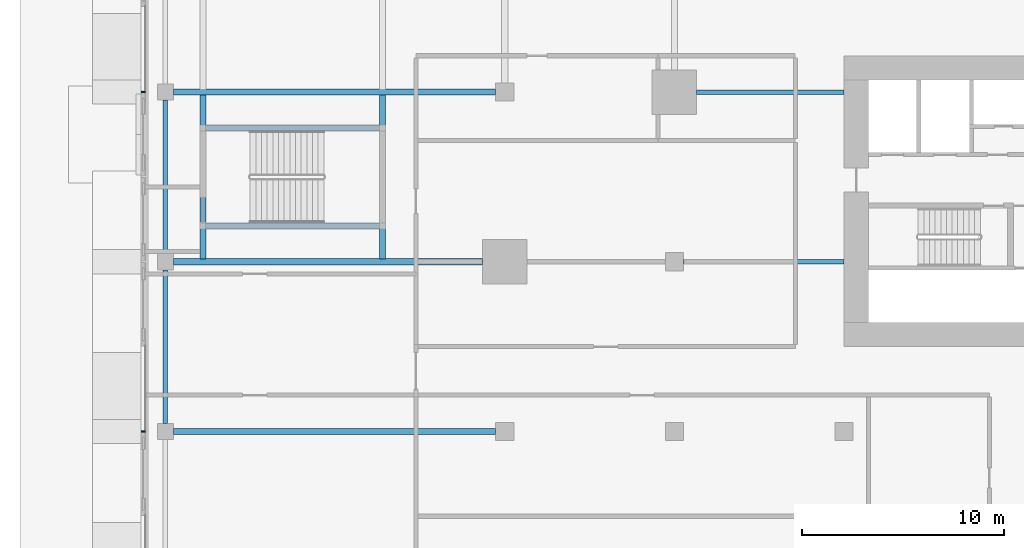
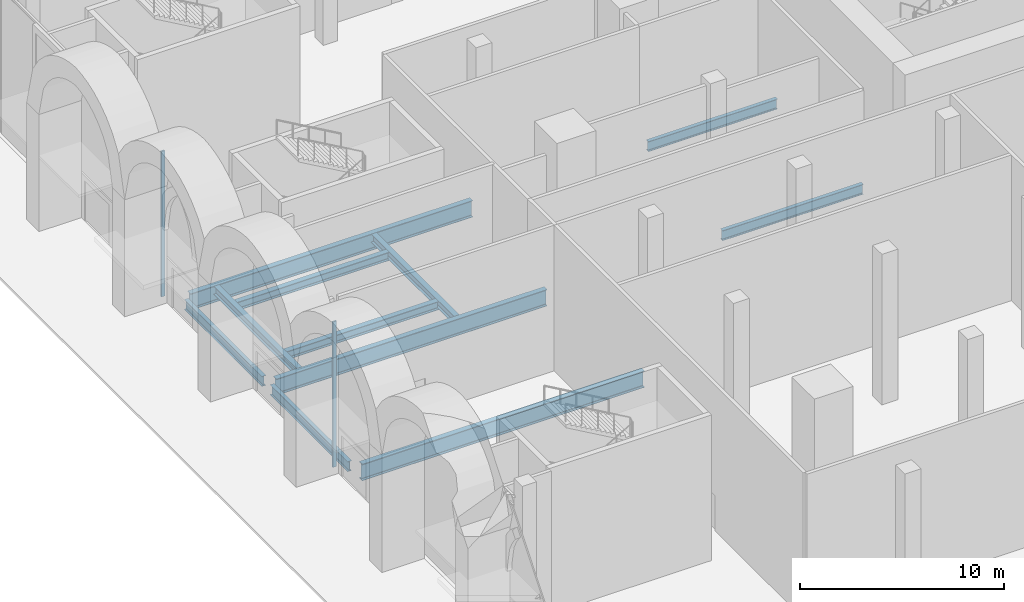
# One storey, part 7 of 43: 11 beams, 2 members, 1 element without a shape of its own.
"""IFC4 building model written with IfcOpenShell, lengths in metres."""

from ifc_helpers import new_model, si_unit, direction, frame, origin, origin_2d, place, context, subcontext, project, spatial, rectangle, i_section, extrude, material, material_profile, profile_set, type_object, element, aggregate, save


model = new_model("IFC4")

# Units and contexts
model_context = context("Model", 3, precision=1e-05, world=origin(), true_north=direction((0.0, 1.0)))
body_context = subcontext(model_context, "Body", "Model", "MODEL_VIEW")
ifc_project = project(units=[si_unit("LENGTHUNIT", "METRE"), si_unit("AREAUNIT", "SQUARE_METRE"), si_unit("VOLUMEUNIT", "CUBIC_METRE"), si_unit("PLANEANGLEUNIT", "RADIAN"), si_unit("MASSUNIT", "GRAM", prefix="KILO")], contexts=[model_context])

# Site, building, storey
site_placement = place(None, origin())
site = spatial("IfcSite", under=ifc_project, at=site_placement, CompositionType="ELEMENT")
building_placement = place(site_placement, origin())
building = spatial("IfcBuilding", under=site, at=building_placement, Name="Saffron Gate Tower", CompositionType="ELEMENT")
storey_placement = place(building_placement, origin())
storey = spatial("IfcBuildingStorey", under=building, at=storey_placement, Name="L00", CompositionType="ELEMENT", Elevation=0.0)

# Beams
ifc_material_1 = material(Name="Structural steel S355", Category="steel")
ifc_material_profile_1 = material_profile(ifc_material_1, i_section(OverallWidth=0.219970703125, OverallDepth=0.60009765625, WebThickness=0.011962890625, FlangeThickness=0.01904296875, FilletRadius=0.02392578125, at=origin_2d()))
ifc_profile_set_1 = profile_set([ifc_material_profile_1], Name="Structural steel S355")
beam_type_1 = type_object("IfcBeamType", Name="B15 IPE 600", PredefinedType="BEAM", material=ifc_profile_set_1)
beam_1_placement = place(storey_placement, frame((58.64990234375, 65.39990234375, -0.60009765625), z_axis=(1.0, 0.0, 0.0), x_axis=(0.0, 1.0, 0.0)))
element("IfcBeam", 1, at=beam_1_placement, inside=storey, type_object=beam_type_1, Name="B15 CORE TIE BEAM", PredefinedType="BEAM", context=body_context, shape_type="SweptSolid", body=[
    extrude(i_section(OverallWidth=0.219970703125, OverallDepth=0.60009765625, WebThickness=0.011962890625, FlangeThickness=0.01904296875, FilletRadius=0.02392578125, at=origin_2d()), origin(), (0.0, 0.0, 1.0), 7.9501953125),
])
beam_2_placement = place(storey_placement, frame((59.300048828125, 73.800048828125, -0.60009765625), z_axis=(1.0, 0.0, 0.0), x_axis=(0.0, 1.0, 0.0)))
element("IfcBeam", 2, at=beam_2_placement, inside=storey, type_object=beam_type_1, Name="B15 CORE TIE BEAM", PredefinedType="BEAM", context=body_context, shape_type="SweptSolid", body=[
    extrude(i_section(OverallWidth=0.219970703125, OverallDepth=0.60009765625, WebThickness=0.011962890625, FlangeThickness=0.01904296875, FilletRadius=0.02392578125, at=origin_2d()), origin(), (0.0, 0.0, 1.0), 7.300048828125),
])
beam_3_placement = place(storey_placement, frame((33.0, 57.39990234375, -0.60009765625), z_axis=(0.0, 1.0, 0.0), x_axis=(-1.0, 0.0, 0.0)))
element("IfcBeam", 3, at=beam_3_placement, inside=storey, type_object=beam_type_1, Name="B15 PODIUM EDGE BEAM", PredefinedType="BEAM", context=body_context, shape_type="SweptSolid", body=[
    extrude(i_section(OverallWidth=0.219970703125, OverallDepth=0.60009765625, WebThickness=0.011962890625, FlangeThickness=0.01904296875, FilletRadius=0.02392578125, at=origin_2d()), origin(), (0.0, 0.0, 1.0), 7.60009765625),
])
beam_4_placement = place(storey_placement, frame((33.0, 65.800048828125, -0.60009765625), z_axis=(0.0, 1.0, 0.0), x_axis=(-1.0, 0.0, 0.0)))
element("IfcBeam", 4, at=beam_4_placement, inside=storey, type_object=beam_type_1, Name="B15 PODIUM EDGE BEAM", PredefinedType="BEAM", context=body_context, shape_type="SweptSolid", body=[
    extrude(i_section(OverallWidth=0.219970703125, OverallDepth=0.60009765625, WebThickness=0.011962890625, FlangeThickness=0.01904296875, FilletRadius=0.02392578125, at=origin_2d()), origin(), (0.0, 0.0, 1.0), 7.599853515625),
])
ifc_material_profile_2 = material_profile(ifc_material_1, i_section(OverallWidth=0.300048828125, OverallDepth=0.989990234375, WebThickness=0.0166015625, FlangeThickness=0.031005859375, FilletRadius=0.030029296875, at=origin_2d()))
ifc_profile_set_2 = profile_set([ifc_material_profile_2], Name="Structural steel S355")
beam_type_2 = type_object("IfcBeamType", Name="B21 HEA 1000", PredefinedType="BEAM", material=ifc_profile_set_2)
beam_5_placement = place(storey_placement, frame((33.39990234375, 57.0, -0.794921875), z_axis=(1.0, 0.0, 0.0), x_axis=(0.0, 1.0, 0.0)))
element("IfcBeam", 5, at=beam_5_placement, inside=storey, type_object=beam_type_2, Name="B21 PODIUM RING GIRDER", PredefinedType="BEAM", context=body_context, shape_type="SweptSolid", body=[
    extrude(i_section(OverallWidth=0.300048828125, OverallDepth=0.989990234375, WebThickness=0.0166015625, FlangeThickness=0.031005859375, FilletRadius=0.030029296875, at=origin_2d()), origin(), (0.0, 0.0, 1.0), 15.9501953125),
])
beam_6_placement = place(storey_placement, frame((33.39990234375, 65.39990234375, -0.794921875), z_axis=(1.0, 0.0, 0.0), x_axis=(0.0, 1.0, 0.0)))
element("IfcBeam", 6, at=beam_6_placement, inside=storey, type_object=beam_type_2, Name="B21 PODIUM RING GIRDER", PredefinedType="BEAM", context=body_context, shape_type="SweptSolid", body=[
    extrude(i_section(OverallWidth=0.300048828125, OverallDepth=0.989990234375, WebThickness=0.0166015625, FlangeThickness=0.031005859375, FilletRadius=0.030029296875, at=origin_2d()), origin(), (0.0, 0.0, 1.0), 15.300048828125),
])
beam_7_placement = place(storey_placement, frame((33.39990234375, 73.800048828125, -0.794921875), z_axis=(1.0, 0.0, 0.0), x_axis=(0.0, 1.0, 0.0)))
element("IfcBeam", 7, at=beam_7_placement, inside=storey, type_object=beam_type_2, Name="B21 PODIUM RING GIRDER", PredefinedType="BEAM", context=body_context, shape_type="SweptSolid", body=[
    extrude(i_section(OverallWidth=0.300048828125, OverallDepth=0.989990234375, WebThickness=0.0166015625, FlangeThickness=0.031005859375, FilletRadius=0.030029296875, at=origin_2d()), origin(), (0.0, 0.0, 1.0), 15.9501953125),
])
ifc_material_profile_3 = material_profile(ifc_material_1, i_section(OverallWidth=0.300048828125, OverallDepth=0.5, WebThickness=0.014404296875, FlangeThickness=0.028076171875, FilletRadius=0.027099609375, at=origin_2d()))
ifc_profile_set_3 = profile_set([ifc_material_profile_3], Name="Structural steel S355")
beam_type_3 = type_object("IfcBeamType", Name="B9 HEB 500", PredefinedType="BEAM", material=ifc_profile_set_3)
for number, where, z_axis, x_axis, name in (
    (8, (34.85009765625, 65.5400390625, -0.550048828125), (0.0, 1.0, 0.0), (-1.0, 0.0, 0.0), "B9 STAIR ENCLOSURE HEADER BEAM"),
    (9, (43.75, 65.5400390625, -0.550048828125), (0.0, 1.0, 0.0), (-1.0, 0.0, 0.0), "B9 STAIR ENCLOSURE HEADER BEAM"),
):
    element("IfcBeam", number, at=place(storey_placement, frame(where, z_axis=z_axis, x_axis=x_axis)), inside=storey, type_object=beam_type_3, Name=name, PredefinedType="BEAM", context=body_context, shape_type="SweptSolid", body=[
        extrude(i_section(OverallWidth=0.300048828125, OverallDepth=0.5, WebThickness=0.014404296875, FlangeThickness=0.028076171875, FilletRadius=0.027099609375, at=origin_2d()), origin(), (0.0, 0.0, 1.0), 8.119873046875),
    ])
for number, where, z_axis, x_axis, name in (
    (10, (34.989990234375, 67.175048828125, -0.550048828125), (1.0, 0.0, 0.0), (0.0, 1.0, 0.0), "B9 STAIR ENCLOSURE TRIMMER BEAM"),
    (11, (34.989990234375, 72.02490234375, -0.550048828125), (1.0, 0.0, 0.0), (0.0, 1.0, 0.0), "B9 STAIR ENCLOSURE TRIMMER BEAM"),
):
    element("IfcBeam", number, at=place(storey_placement, frame(where, z_axis=z_axis, x_axis=x_axis)), inside=storey, type_object=beam_type_3, Name=name, PredefinedType="BEAM", context=body_context, shape_type="SweptSolid", body=[
        extrude(i_section(OverallWidth=0.300048828125, OverallDepth=0.5, WebThickness=0.014404296875, FlangeThickness=0.028076171875, FilletRadius=0.027099609375, at=origin_2d()), origin(), (0.0, 0.0, 1.0), 8.6201171875),
    ])

# Curtain wall, members
ifc_material_2 = material(Name="Aluminium, bronze anodised", Category="aluminium")
curtain_wall_type = type_object("IfcCurtainWallType", Name="CWS5 curtain wall podium ring base", PredefinedType="NOTDEFINED", material=ifc_material_2)
curtain_wall_placement = place(storey_placement, origin())
curtain_wall = element("IfcCurtainWall", 12, at=curtain_wall_placement, inside=storey, type_object=curtain_wall_type, Name="CWS5 run 4", PredefinedType="NOTDEFINED")
ifc_material_profile_4 = material_profile(ifc_material_2, rectangle(XDim=0.199951171875, YDim=0.080078125, at=origin_2d()))
ifc_profile_set_4 = profile_set([ifc_material_profile_4], Name="Aluminium, bronze anodised")
member_type = type_object("IfcMemberType", Name="CWS5 mullion 80x200", PredefinedType="MULLION", material=ifc_profile_set_4)
member_1_placement = place(storey_placement, frame((31.89990234375, 73.800048828125, 0.0), z_axis=(0.0, 0.0, 1.0), x_axis=(1.0, 0.0, 0.0)))
member_1 = element("IfcMember", 13, at=member_1_placement, type_object=member_type, Name="CWS5 mullion 3", PredefinedType="MULLION", context=body_context, shape_type="SweptSolid", body=[
    extrude(rectangle(XDim=0.199951171875, YDim=0.080078125, at=origin_2d()), origin(), (0.0, 0.0, 1.0), 8.699951171875),
])
member_2_placement = place(storey_placement, frame((31.89990234375, 57.0, 0.0), z_axis=(0.0, 0.0, 1.0), x_axis=(1.0, 0.0, 0.0)))
member_2 = element("IfcMember", 14, at=member_2_placement, type_object=member_type, Name="CWS5 mullion 5", PredefinedType="MULLION", context=body_context, shape_type="SweptSolid", body=[
    extrude(rectangle(XDim=0.199951171875, YDim=0.080078125, at=origin_2d()), origin(), (0.0, 0.0, 1.0), 8.699951171875),
])
aggregate(curtain_wall, [member_1, member_2])

save(model, "model.ifc")
